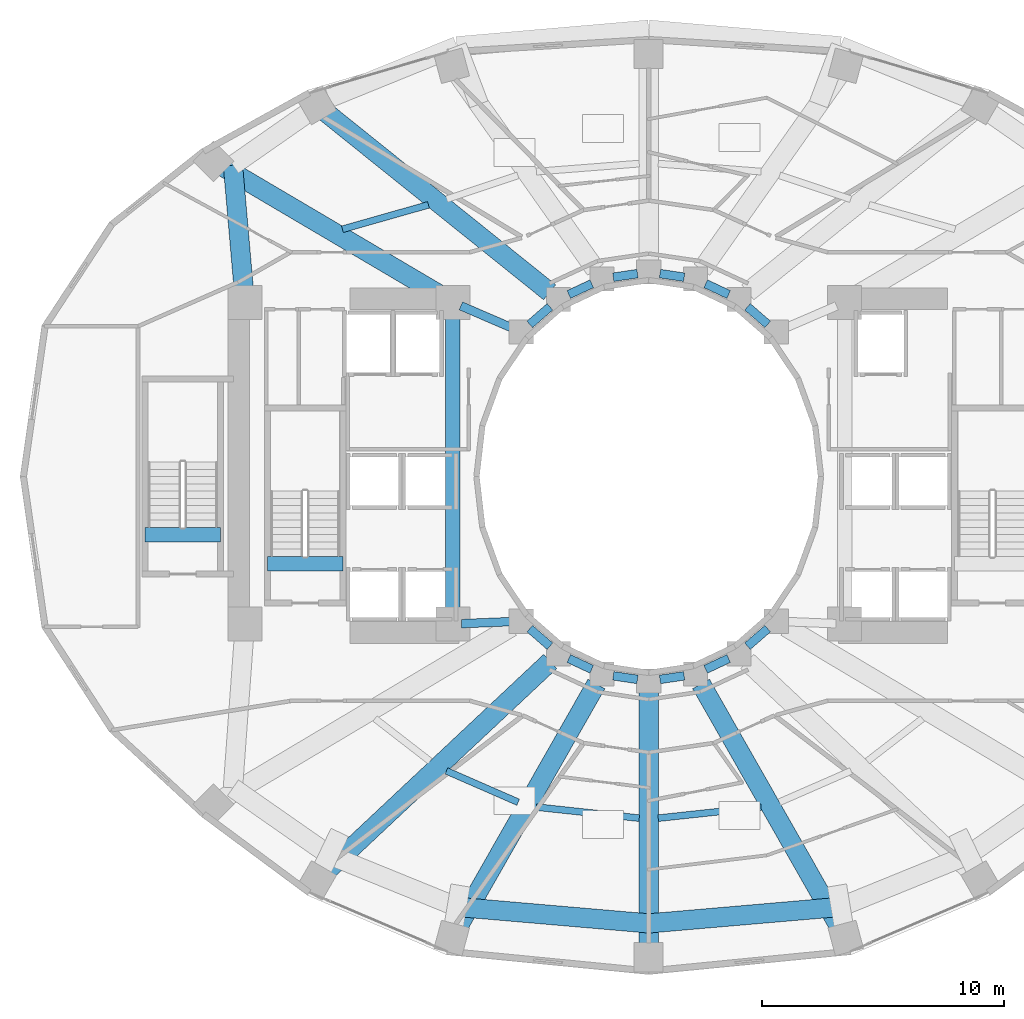
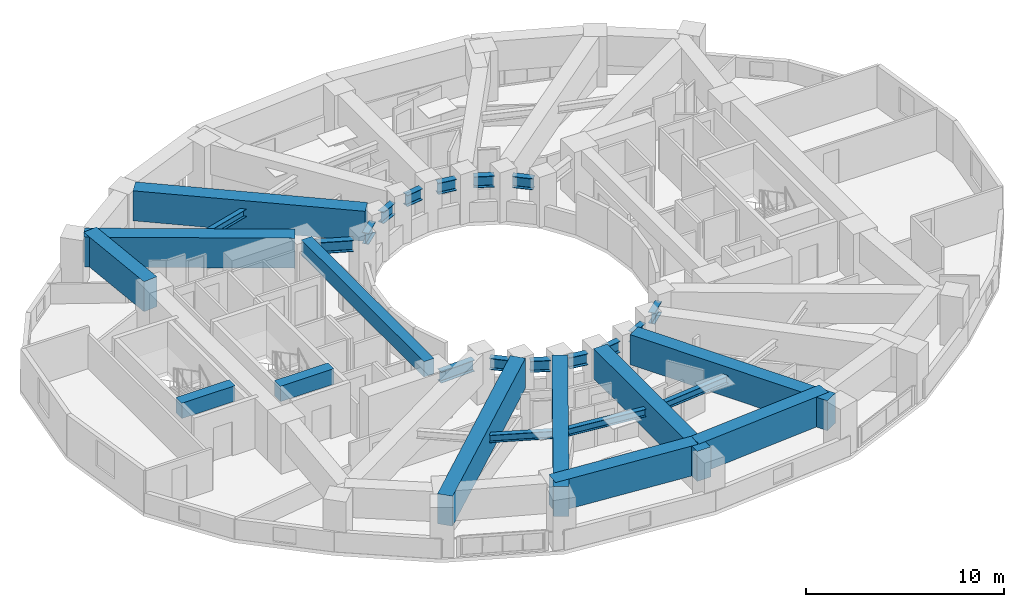
# One storey, part 3 of 16: 30 beams.
"""IFC4 building model written with IfcOpenShell, lengths in metres."""

from ifc_helpers import new_model, si_unit, direction, frame, origin, origin_2d, place, context, subcontext, project, spatial, rectangle, i_section, extrude, material, material_profile, profile_set, type_object, element, save


model = new_model("IFC4")

# Units and contexts
model_context = context("Model", 3, precision=1e-05, world=origin(), true_north=direction((0.0, 1.0)))
body_context = subcontext(model_context, "Body", "Model", "MODEL_VIEW")
ifc_project = project(units=[si_unit("LENGTHUNIT", "METRE"), si_unit("AREAUNIT", "SQUARE_METRE"), si_unit("VOLUMEUNIT", "CUBIC_METRE"), si_unit("PLANEANGLEUNIT", "RADIAN"), si_unit("MASSUNIT", "GRAM", prefix="KILO")], contexts=[model_context])

# Site, building, storey
site_placement = place(None, origin())
site = spatial("IfcSite", under=ifc_project, at=site_placement, CompositionType="ELEMENT")
building_placement = place(site_placement, origin())
building = spatial("IfcBuilding", under=site, at=building_placement, Name="Solvane Sanctuary Tower", CompositionType="ELEMENT")
storey_placement = place(building_placement, frame((0.0, 0.0, 61.699951171875)))
storey = spatial("IfcBuildingStorey", under=building, at=storey_placement, Name="L18", CompositionType="ELEMENT", Elevation=61.699951171875)

# Beams
ifc_material_1 = material(Name="Concrete C70/85", Category="concrete")
ifc_material_profile_1 = material_profile(ifc_material_1, rectangle(XDim=0.60009765625, YDim=0.949951171875, at=origin_2d()), Name="RC600X950")
ifc_profile_set_1 = profile_set([ifc_material_profile_1], Name="Concrete C70/85")
beam_type_1 = type_object("IfcBeamType", Name="Beam B-COUPLE RC600X950", PredefinedType="LINTEL", material=ifc_profile_set_1)
beam_1_placement = place(storey_placement, frame((23.89990234375, 17.35009765625, 2.625), z_axis=(0.0, 1.0, 0.0), x_axis=(-1.0, 0.0, 0.0)))
element("IfcBeam", 1, at=beam_1_placement, inside=storey, type_object=beam_type_1, Name="L18 West Core Coupling Lintel", PredefinedType="LINTEL", context=body_context, shape_type="SweptSolid", body=[
    extrude(rectangle(XDim=0.60009765625, YDim=0.949951171875, at=origin_2d()), origin(), (0.0, 0.0, 1.0), 12.39990234375),
])
for number, where, z_axis, x_axis, name in (
    (2, (16.22998046875, 19.399169921875, 2.625), (1.0, 0.0, 0.0), (0.0, 1.0, 0.0), "L18 ST-1 Stair Floor Landing Trimmer"),
    (3, (11.169921875, 20.59912109375, 2.625), (1.0, 0.0, 0.0), (0.0, 1.0, 0.0), "L18 ST-3 Stair Floor Landing Trimmer"),
):
    element("IfcBeam", number, at=place(storey_placement, frame(where, z_axis=z_axis, x_axis=x_axis)), inside=storey, type_object=beam_type_1, Name=name, PredefinedType="LINTEL", context=body_context, shape_type="SweptSolid", body=[
        extrude(rectangle(XDim=0.60009765625, YDim=0.949951171875, at=origin_2d()), origin(), (0.0, 0.0, 1.0), 3.1201171875),
    ])
ifc_material_2 = material(Name="Steel ASTM A992 Grade 50", Category="steel")
ifc_material_profile_2 = material_profile(ifc_material_2, i_section(OverallWidth=0.35498046875, OverallDepth=0.695068359375, WebThickness=0.015380859375, FlangeThickness=0.02490234375, FilletRadius=0.01806640625, at=origin_2d()), Name="W27X146")
ifc_profile_set_2 = profile_set([ifc_material_profile_2], Name="Steel ASTM A992 Grade 50")
beam_type_2 = type_object("IfcBeamType", Name="Beam B-RING-IN1 W27X146", PredefinedType="BEAM", material=ifc_profile_set_2)
beam_2_placement = place(storey_placement, frame((24.230712890625, 30.0576171875, 2.25048828125), z_axis=(0.918277080365, -0.395938383687, 0.0), x_axis=(0.395938383687, 0.918277080365, 0.0)))
element("IfcBeam", 4, at=beam_2_placement, inside=storey, type_object=beam_type_2, Name="L18 Inner Light-Well Ring Beam CW3-IC07", PredefinedType="BEAM", context=body_context, shape_type="SweptSolid", body=[
    extrude(i_section(OverallWidth=0.35498046875, OverallDepth=0.695068359375, WebThickness=0.015380859375, FlangeThickness=0.02490234375, FilletRadius=0.01806640625, at=origin_2d()), origin(), (0.0, 0.0, 1.0), 2.246337890625),
])
beam_3_placement = place(storey_placement, frame((27.07958984375, 29.29052734375, 2.25048828125), z_axis=(0.754320881993, 0.65650590781, 0.0), x_axis=(-0.65650590781, 0.754320881993, 0.0)))
element("IfcBeam", 5, at=beam_3_placement, inside=storey, type_object=beam_type_2, Name="L18 Inner Light-Well Ring Beam IC07-IC06", PredefinedType="BEAM", context=body_context, shape_type="SweptSolid", body=[
    extrude(i_section(OverallWidth=0.35498046875, OverallDepth=0.695068359375, WebThickness=0.015380859375, FlangeThickness=0.02490234375, FilletRadius=0.01806640625, at=origin_2d()), origin(), (0.0, 0.0, 1.0), 1.108154296875),
])
beam_4_placement = place(storey_placement, frame((28.6953125, 30.5263671875, 2.25048828125), z_axis=(0.905108885866, 0.42517984986, 0.0), x_axis=(-0.42517984986, 0.905108885866, 0.0)))
element("IfcBeam", 6, at=beam_4_placement, inside=storey, type_object=beam_type_2, Name="L18 Inner Light-Well Ring Beam IC06-IC05", PredefinedType="BEAM", context=body_context, shape_type="SweptSolid", body=[
    extrude(i_section(OverallWidth=0.35498046875, OverallDepth=0.695068359375, WebThickness=0.015380859375, FlangeThickness=0.02490234375, FilletRadius=0.01806640625, at=origin_2d()), origin(), (0.0, 0.0, 1.0), 1.0478515625),
])
for number, where, z_axis, x_axis, name in (
    (7, (30.533935546875, 31.2412109375, 2.25048828125), (0.989047520133, 0.147597435338, 0.0), (-0.147597435338, 0.989047520133, 0.0), "L18 Inner Light-Well Ring Beam IC05-IC04"),
    (8, (32.46484375, 31.390625, 2.25048828125), (0.989047520133, -0.147597435338, 0.0), (0.147597435338, 0.989047520133, 0.0), "L18 Inner Light-Well Ring Beam IC04-IC03"),
):
    element("IfcBeam", number, at=place(storey_placement, frame(where, z_axis=z_axis, x_axis=x_axis)), inside=storey, type_object=beam_type_2, Name=name, PredefinedType="BEAM", context=body_context, shape_type="SweptSolid", body=[
        extrude(i_section(OverallWidth=0.35498046875, OverallDepth=0.695068359375, WebThickness=0.015380859375, FlangeThickness=0.02490234375, FilletRadius=0.01806640625, at=origin_2d()), origin(), (0.0, 0.0, 1.0), 1.01220703125),
    ])
beam_5_placement = place(storey_placement, frame((34.356201171875, 30.971923828125, 2.25048828125), z_axis=(0.905108885866, -0.42517984986, 0.0), x_axis=(0.42517984986, 0.905108885866, 0.0)))
element("IfcBeam", 9, at=beam_5_placement, inside=storey, type_object=beam_type_2, Name="L18 Inner Light-Well Ring Beam IC03-IC02", PredefinedType="BEAM", context=body_context, shape_type="SweptSolid", body=[
    extrude(i_section(OverallWidth=0.35498046875, OverallDepth=0.695068359375, WebThickness=0.015380859375, FlangeThickness=0.02490234375, FilletRadius=0.01806640625, at=origin_2d()), origin(), (0.0, 0.0, 1.0), 1.0478515625),
])
beam_6_placement = place(storey_placement, frame((36.08447265625, 30.01806640625, 2.25048828125), z_axis=(0.754320881993, -0.65650590781, 0.0), x_axis=(0.65650590781, 0.754320881993, 0.0)))
element("IfcBeam", 10, at=beam_6_placement, inside=storey, type_object=beam_type_2, Name="L18 Inner Light-Well Ring Beam IC02-IC01", PredefinedType="BEAM", context=body_context, shape_type="SweptSolid", body=[
    extrude(i_section(OverallWidth=0.35498046875, OverallDepth=0.695068359375, WebThickness=0.015380859375, FlangeThickness=0.02490234375, FilletRadius=0.01806640625, at=origin_2d()), origin(), (0.0, 0.0, 1.0), 1.108154296875),
])
beam_7_placement = place(storey_placement, frame((24.259765625, 16.9150390625, 2.25048828125), z_axis=(0.999130953379, 0.041681386726, 0.0), x_axis=(-0.041681386726, 0.999130953379, 0.0)))
element("IfcBeam", 11, at=beam_7_placement, inside=storey, type_object=beam_type_2, Name="L18 Inner Light-Well Ring Beam CW2-IC08", PredefinedType="BEAM", context=body_context, shape_type="SweptSolid", body=[
    extrude(i_section(OverallWidth=0.35498046875, OverallDepth=0.695068359375, WebThickness=0.015380859375, FlangeThickness=0.02490234375, FilletRadius=0.01806640625, at=origin_2d()), origin(), (0.0, 0.0, 1.0), 1.997314453125),
])
beam_8_placement = place(storey_placement, frame((27.07958984375, 16.70947265625, 2.25048828125), z_axis=(0.754320881993, -0.65650590781, 0.0), x_axis=(0.65650590781, 0.754320881993, 0.0)))
element("IfcBeam", 12, at=beam_8_placement, inside=storey, type_object=beam_type_2, Name="L18 Inner Light-Well Ring Beam IC08-IC09", PredefinedType="BEAM", context=body_context, shape_type="SweptSolid", body=[
    extrude(i_section(OverallWidth=0.35498046875, OverallDepth=0.695068359375, WebThickness=0.015380859375, FlangeThickness=0.02490234375, FilletRadius=0.01806640625, at=origin_2d()), origin(), (0.0, 0.0, 1.0), 1.108154296875),
])
beam_9_placement = place(storey_placement, frame((28.6953125, 15.4736328125, 2.25048828125), z_axis=(0.905108885866, -0.42517984986, 0.0), x_axis=(0.42517984986, 0.905108885866, 0.0)))
element("IfcBeam", 13, at=beam_9_placement, inside=storey, type_object=beam_type_2, Name="L18 Inner Light-Well Ring Beam IC09-IC10", PredefinedType="BEAM", context=body_context, shape_type="SweptSolid", body=[
    extrude(i_section(OverallWidth=0.35498046875, OverallDepth=0.695068359375, WebThickness=0.015380859375, FlangeThickness=0.02490234375, FilletRadius=0.01806640625, at=origin_2d()), origin(), (0.0, 0.0, 1.0), 1.0478515625),
])
for number, where, z_axis, x_axis, name in (
    (14, (30.533935546875, 14.7587890625, 2.25048828125), (0.989047520133, -0.147597435338, 0.0), (0.147597435338, 0.989047520133, 0.0), "L18 Inner Light-Well Ring Beam IC10-IC11"),
    (15, (32.46484375, 14.609375, 2.25048828125), (0.989047520133, 0.147597435338, 0.0), (-0.147597435338, 0.989047520133, 0.0), "L18 Inner Light-Well Ring Beam IC11-IC12"),
):
    element("IfcBeam", number, at=place(storey_placement, frame(where, z_axis=z_axis, x_axis=x_axis)), inside=storey, type_object=beam_type_2, Name=name, PredefinedType="BEAM", context=body_context, shape_type="SweptSolid", body=[
        extrude(i_section(OverallWidth=0.35498046875, OverallDepth=0.695068359375, WebThickness=0.015380859375, FlangeThickness=0.02490234375, FilletRadius=0.01806640625, at=origin_2d()), origin(), (0.0, 0.0, 1.0), 1.01220703125),
    ])
beam_10_placement = place(storey_placement, frame((34.356201171875, 15.028076171875, 2.25048828125), z_axis=(0.905108885866, 0.42517984986, 0.0), x_axis=(-0.42517984986, 0.905108885866, 0.0)))
element("IfcBeam", 16, at=beam_10_placement, inside=storey, type_object=beam_type_2, Name="L18 Inner Light-Well Ring Beam IC12-IC13", PredefinedType="BEAM", context=body_context, shape_type="SweptSolid", body=[
    extrude(i_section(OverallWidth=0.35498046875, OverallDepth=0.695068359375, WebThickness=0.015380859375, FlangeThickness=0.02490234375, FilletRadius=0.01806640625, at=origin_2d()), origin(), (0.0, 0.0, 1.0), 1.0478515625),
])
beam_11_placement = place(storey_placement, frame((36.08447265625, 15.98193359375, 2.25048828125), z_axis=(0.754320881993, 0.65650590781, 0.0), x_axis=(-0.65650590781, 0.754320881993, 0.0)))
element("IfcBeam", 17, at=beam_11_placement, inside=storey, type_object=beam_type_2, Name="L18 Inner Light-Well Ring Beam IC13-IC14", PredefinedType="BEAM", context=body_context, shape_type="SweptSolid", body=[
    extrude(i_section(OverallWidth=0.35498046875, OverallDepth=0.695068359375, WebThickness=0.015380859375, FlangeThickness=0.02490234375, FilletRadius=0.01806640625, at=origin_2d()), origin(), (0.0, 0.0, 1.0), 1.108154296875),
])
ifc_material_profile_3 = material_profile(ifc_material_2, i_section(OverallWidth=0.280029296875, OverallDepth=0.462890625, WebThickness=0.0107421875, FlangeThickness=0.017333984375, FilletRadius=0.013916015625, at=origin_2d()), Name="W18X76")
ifc_profile_set_3 = profile_set([ifc_material_profile_3], Name="Steel ASTM A992 Grade 50")
beam_type_3 = type_object("IfcBeamType", Name="Beam B-SEC-JOIST W18X76", PredefinedType="JOIST", material=ifc_profile_set_3)
beam_12_placement = place(storey_placement, frame((19.333984375, 33.2255859375, 2.366455078125), z_axis=(0.962013221583, 0.273002859875, 0.0), x_axis=(-0.273002859875, 0.962013221583, 0.0)))
element("IfcBeam", 18, at=beam_12_placement, inside=storey, type_object=beam_type_3, Name="L18 Secondary Circumferential Joist 07-06", PredefinedType="JOIST", context=body_context, shape_type="SweptSolid", body=[
    extrude(i_section(OverallWidth=0.280029296875, OverallDepth=0.462890625, WebThickness=0.0107421875, FlangeThickness=0.017333984375, FilletRadius=0.013916015625, at=origin_2d()), origin(), (0.0, 0.0, 1.0), 3.69775390625),
])
beam_13_placement = place(storey_placement, frame((23.63330078125, 10.82666015625, 2.366455078125), z_axis=(0.916364894528, -0.400344077111, 0.0), x_axis=(0.400344077111, 0.916364894528, 0.0)))
element("IfcBeam", 19, at=beam_13_placement, inside=storey, type_object=beam_type_3, Name="L18 Secondary Circumferential Joist 09-10", PredefinedType="JOIST", context=body_context, shape_type="SweptSolid", body=[
    extrude(i_section(OverallWidth=0.280029296875, OverallDepth=0.462890625, WebThickness=0.0107421875, FlangeThickness=0.017333984375, FilletRadius=0.013916015625, at=origin_2d()), origin(), (0.0, 0.0, 1.0), 3.237548828125),
])
for number, where, z_axis, x_axis, name in (
    (20, (27.35498046875, 9.330078125, 2.366455078125), (0.994255907242, -0.107028925599, 0.0), (0.107028925599, 0.994255907242, 0.0), "L18 Secondary Circumferential Joist 10-11"),
    (21, (32.392578125, 8.872314453125, 2.366455078125), (0.994255907242, 0.107028925599, 0.0), (-0.107028925599, 0.994255907242, 0.0), "L18 Secondary Circumferential Joist 11-12"),
):
    element("IfcBeam", number, at=place(storey_placement, frame(where, z_axis=z_axis, x_axis=x_axis)), inside=storey, type_object=beam_type_3, Name=name, PredefinedType="JOIST", context=body_context, shape_type="SweptSolid", body=[
        extrude(i_section(OverallWidth=0.280029296875, OverallDepth=0.462890625, WebThickness=0.0107421875, FlangeThickness=0.017333984375, FilletRadius=0.013916015625, at=origin_2d()), origin(), (0.0, 0.0, 1.0), 4.277099609375),
    ])
ifc_material_profile_4 = material_profile(ifc_material_1, rectangle(XDim=0.800048828125, YDim=1.85009765625, at=origin_2d()), Name="RC800X1850")
ifc_profile_set_4 = profile_set([ifc_material_profile_4], Name="Concrete C70/85")
beam_type_4 = type_object("IfcBeamType", Name="Beam B-XFER-BLK RC800X1850", PredefinedType="BEAM", material=ifc_profile_set_4)
beam_14_placement = place(storey_placement, frame((27.903564453125, 30.62109375, 2.175048828125), z_axis=(-0.77954317421, 0.626348496878, 0.0), x_axis=(-0.626348496878, -0.77954317421, 0.0)))
element("IfcBeam", 22, at=beam_14_placement, inside=storey, type_object=beam_type_4, Name="L18 Block-Shift Radial Transfer Girder 06A", PredefinedType="BEAM", context=body_context, shape_type="SweptSolid", body=[
    extrude(rectangle(XDim=0.800048828125, YDim=1.85009765625, at=origin_2d()), origin(), (0.0, 0.0, 1.0), 11.874267578125),
])
beam_15_placement = place(storey_placement, frame((23.58984375, 30.3828125, 2.175048828125), z_axis=(-0.861292042382, 0.50811024171, 0.0), x_axis=(-0.50811024171, -0.861292042382, 0.0)))
element("IfcBeam", 23, at=beam_15_placement, inside=storey, type_object=beam_type_4, Name="L18 Block-Shift Radial Transfer Girder 07A", PredefinedType="BEAM", context=body_context, shape_type="SweptSolid", body=[
    extrude(rectangle(XDim=0.800048828125, YDim=1.85009765625, at=origin_2d()), origin(), (0.0, 0.0, 1.0), 10.644775390625),
])
beam_16_placement = place(storey_placement, frame((27.92724609375, 15.351806640625, 2.175048828125), z_axis=(-0.729350984505, -0.684139708979, 0.0), x_axis=(0.684139708979, -0.729350984505, 0.0)))
element("IfcBeam", 24, at=beam_16_placement, inside=storey, type_object=beam_type_4, Name="L18 Block-Shift Radial Transfer Girder 09A", PredefinedType="BEAM", context=body_context, shape_type="SweptSolid", body=[
    extrude(rectangle(XDim=0.800048828125, YDim=1.85009765625, at=origin_2d()), origin(), (0.0, 0.0, 1.0), 12.717041015625),
])
beam_17_placement = place(storey_placement, frame((29.836669921875, 14.419921875, 2.175048828125), z_axis=(-0.494867837588, -0.868968252194, 0.0), x_axis=(0.868968252194, -0.494867837588, 0.0)))
element("IfcBeam", 25, at=beam_17_placement, inside=storey, type_object=beam_type_4, Name="L18 Block-Shift Radial Transfer Girder 10A", PredefinedType="BEAM", context=body_context, shape_type="SweptSolid", body=[
    extrude(rectangle(XDim=0.800048828125, YDim=1.85009765625, at=origin_2d()), origin(), (0.0, 0.0, 1.0), 11.5673828125),
])
beam_18_placement = place(storey_placement, frame((32.0, 14.070068359375, 2.175048828125), z_axis=(0.0, -1.0, 0.0), x_axis=(1.0, 0.0, 0.0)))
element("IfcBeam", 26, at=beam_18_placement, inside=storey, type_object=beam_type_4, Name="L18 Block-Shift Radial Transfer Girder 11A", PredefinedType="BEAM", context=body_context, shape_type="SweptSolid", body=[
    extrude(rectangle(XDim=0.800048828125, YDim=1.85009765625, at=origin_2d()), origin(), (0.0, 0.0, 1.0), 10.469970703125),
])
beam_19_placement = place(storey_placement, frame((34.163330078125, 14.419921875, 2.175048828125), z_axis=(0.494867837588, -0.868968252194, 0.0), x_axis=(0.868968252194, 0.494867837588, 0.0)))
element("IfcBeam", 27, at=beam_19_placement, inside=storey, type_object=beam_type_4, Name="L18 Block-Shift Radial Transfer Girder 12A", PredefinedType="BEAM", context=body_context, shape_type="SweptSolid", body=[
    extrude(rectangle(XDim=0.800048828125, YDim=1.85009765625, at=origin_2d()), origin(), (0.0, 0.0, 1.0), 11.5673828125),
])
beam_20_placement = place(storey_placement, frame((15.268798828125, 30.55859375, 2.175048828125), z_axis=(-0.08687242163, 0.996219444882, 0.0), x_axis=(-0.996219444882, -0.08687242163, 0.0)))
element("IfcBeam", 28, at=beam_20_placement, inside=storey, type_object=beam_type_4, Name="L18 Perimeter Step Transfer Ring CW4-NTC07", PredefinedType="BEAM", context=body_context, shape_type="SweptSolid", body=[
    extrude(rectangle(XDim=0.800048828125, YDim=1.85009765625, at=origin_2d()), origin(), (0.0, 0.0, 1.0), 5.3369140625),
])
for number, where, z_axis, x_axis, name in (
    (29, (24.068359375, 5.203369140625, 2.175048828125), (0.996309201647, -0.08583690764, 0.0), (0.08583690764, 0.996309201647, 0.0), "L18 Perimeter Step Transfer Ring NTC10-NTC11"),
    (30, (32.0, 4.52001953125, 2.175048828125), (0.996309201647, 0.08583690764, 0.0), (-0.08583690764, 0.996309201647, 0.0), "L18 Perimeter Step Transfer Ring NTC11-NTC12"),
):
    element("IfcBeam", number, at=place(storey_placement, frame(where, z_axis=z_axis, x_axis=x_axis)), inside=storey, type_object=beam_type_4, Name=name, PredefinedType="BEAM", context=body_context, shape_type="SweptSolid", body=[
        extrude(rectangle(XDim=0.800048828125, YDim=1.85009765625, at=origin_2d()), origin(), (0.0, 0.0, 1.0), 7.9609375),
    ])

save(model, "model.ifc")
